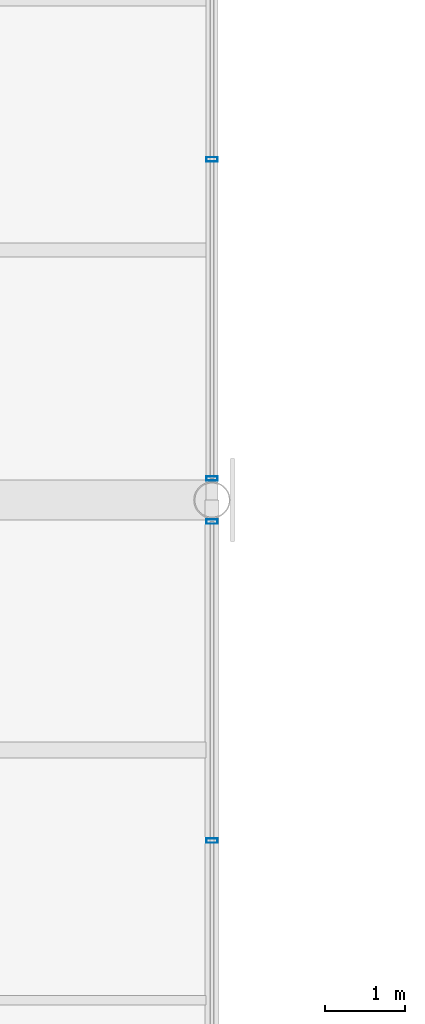
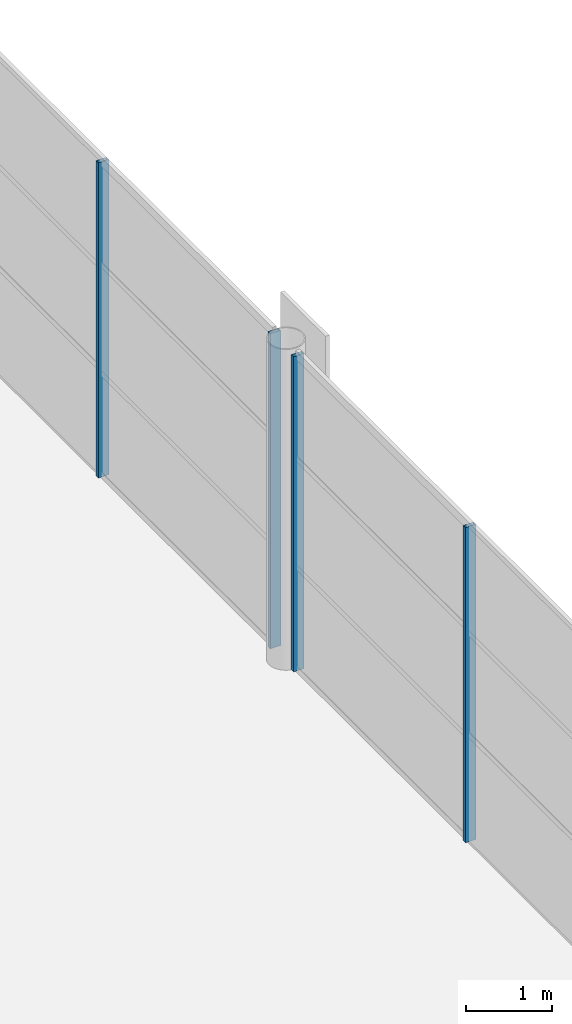
# One storey, part 47 of 112: 4 members, 2 elements without a shape of their own.
"""IFC4 building model written with IfcOpenShell, lengths in metres."""

import ifcopenshell
import ifcopenshell.guid

model = None  # the IFC model being written
_history = None  # IfcOwnerHistory: only IFC2X3 demands one
_inside = {}  # id of a spatial element -> (the spatial element, [elements in it])
_under = {}  # id of a project, library or spatial element -> (it, [spatial elements below it])
_declared = {}  # id of a project -> (the project, [libraries it declares])
_typed = {}  # id of a type object -> (the type object, [elements of that type])
_made_of = {}  # id of a material, layer set ... -> (it, [elements and type objects made of it])


def new_model(schema):
    """Start an empty IFC model of exactly this schema.

    Asked for "IFC4X3", IfcOpenShell would pick the latest addendum, in which some entities
    have other attributes; the version numbers below select the first issue.
    IFC2X3 requires an IfcOwnerHistory on every rooted entity: one is made here for all.
    """
    global model, _history
    if schema == "IFC4X3":
        model = ifcopenshell.file(schema_version=(4, 3, 0, 0))
    else:
        model = ifcopenshell.file(schema=schema)
    _inside.clear()
    _under.clear()
    _declared.clear()
    _typed.clear()
    _made_of.clear()
    _history = None
    if model.schema == "IFC2X3":
        org = make("IfcOrganization", Name="unknown")
        user = make(
            "IfcPersonAndOrganization",
            ThePerson=make("IfcPerson", FamilyName="unknown"),
            TheOrganization=org,
        )
        app = make(
            "IfcApplication",
            ApplicationDeveloper=org,
            Version="unknown",
            ApplicationFullName="unknown",
            ApplicationIdentifier="unknown",
        )
        _history = make(
            "IfcOwnerHistory",
            OwningUser=user,
            OwningApplication=app,
            ChangeAction="ADDED",
            CreationDate=0,
        )
    return model


def make(cls, **values):
    """One entity of the class cls with the attributes given. An attribute that is None is left unset."""
    return model.create_entity(
        cls, **{name: value for name, value in values.items() if value is not None}
    )


def rooted(cls, **values):
    """An entity with a GlobalId (a new one), such as an element, a storey or a relation."""
    return make(cls, GlobalId=ifcopenshell.guid.new(), OwnerHistory=_history, **values)


def si_unit(unit_type, name, prefix=None):
    """IfcSIUnit, for example si_unit("LENGTHUNIT", "METRE", prefix="MILLI")."""
    return make("IfcSIUnit", UnitType=unit_type, Prefix=prefix, Name=name)


def assignment(units):
    """IfcUnitAssignment: the units of a project."""
    return None if units is None else make("IfcUnitAssignment", Units=units)


def point(xyz):
    """IfcCartesianPoint."""
    return None if xyz is None else make("IfcCartesianPoint", Coordinates=xyz)


def direction(xyz):
    """IfcDirection."""
    return None if xyz is None else make("IfcDirection", DirectionRatios=xyz)


def frame(location, z_axis=None, x_axis=None):
    """IfcAxis2Placement3D, a coordinate frame: its origin and axes. An axis left out is left unset."""
    return make(
        "IfcAxis2Placement3D",
        Location=point(location),
        Axis=direction(z_axis),
        RefDirection=direction(x_axis),
    )


def frame_2d(location, x_axis=None):
    """IfcAxis2Placement2D, a coordinate frame in the plane: its origin and x axis."""
    return make(
        "IfcAxis2Placement2D", Location=point(location), RefDirection=direction(x_axis)
    )


def origin():
    """The frame at (0, 0, 0) with its axes left unset."""
    return frame((0.0, 0.0, 0.0))


def origin_2d():
    """The frame at (0, 0) in the plane with its x axis left unset."""
    return frame_2d((0.0, 0.0))


def place(relative_to, where):
    """IfcLocalPlacement: puts the frame where relative to a parent placement (None: the world)."""
    return make(
        "IfcLocalPlacement", PlacementRelTo=relative_to, RelativePlacement=where
    )


def context(
    kind, dimensions, precision=None, world=None, true_north=None, identifier=None
):
    """IfcGeometricRepresentationContext, for example the 3D "Model" context."""
    return make(
        "IfcGeometricRepresentationContext",
        ContextIdentifier=identifier,
        ContextType=kind,
        CoordinateSpaceDimension=dimensions,
        Precision=precision,
        WorldCoordinateSystem=world,
        TrueNorth=true_north,
    )


def subcontext(parent, identifier, kind, view, scale=None):
    """IfcGeometricRepresentationSubContext, for example "Body" below "Model"."""
    return make(
        "IfcGeometricRepresentationSubContext",
        ContextIdentifier=identifier,
        ContextType=kind,
        ParentContext=parent,
        TargetScale=scale,
        TargetView=view,
    )


def project(units=None, contexts=None):
    """IfcProject with its units and contexts."""
    return rooted(
        "IfcProject",
        Name="project",
        RepresentationContexts=contexts,
        UnitsInContext=assignment(units),
    )


def spatial(cls, under=None, at=None, **own):
    """A site, building, storey or space (cls), placed at a placement, below another one or the project."""
    s = rooted(cls, ObjectPlacement=at, **own)
    if under is not None:
        _under.setdefault(under.id(), (under, []))[1].append(s)
    return s


def profile(cls, at=None, kind="AREA", **sizes):
    """A parametric profile (cls). Its sizes go by their IFC names, for example OverallWidth=200.0."""
    return make(cls, ProfileType=kind, Position=at, **sizes)


def hollow_rectangle(**sizes):
    """IfcRectangleHollowProfileDef."""
    return profile("IfcRectangleHollowProfileDef", **sizes)


def extrude(swept, where, along, depth):
    """IfcExtrudedAreaSolid: the profile swept, set in the frame where, extruded along a direction by depth."""
    return make(
        "IfcExtrudedAreaSolid",
        SweptArea=swept,
        Position=where,
        ExtrudedDirection=direction(along),
        Depth=depth,
    )


def shape(context_of_items, identifier, shape_type, items):
    """IfcShapeRepresentation: the items that make up one representation, for example the "Body"."""
    return make(
        "IfcShapeRepresentation",
        ContextOfItems=context_of_items,
        RepresentationIdentifier=identifier,
        RepresentationType=shape_type,
        Items=items,
    )


def material(Name=None, Category=None):
    """IfcMaterial."""
    return make("IfcMaterial", Name=Name, Category=Category)


def material_profile(
    of_material, cross_section, Name=None, Category=None, Priority=None
):
    """IfcMaterialProfile: a cross section and its material."""
    return make(
        "IfcMaterialProfile",
        Name=Name,
        Material=of_material,
        Profile=cross_section,
        Priority=Priority,
        Category=Category,
    )


def profile_set(profiles, Name=None, composite=None):
    """IfcMaterialProfileSet."""
    return make(
        "IfcMaterialProfileSet",
        Name=Name,
        MaterialProfiles=profiles,
        CompositeProfile=composite,
    )


def made_of(thing, what):
    """Note that an element or type object is made of a material, layer set ...; save() writes the relation."""
    if what is not None:
        _made_of.setdefault(what.id(), (what, []))[1].append(thing)
    return thing


def type_object(cls, material=None, **own):
    """A type object (cls), such as IfcWallType, which elements share."""
    return made_of(rooted(cls, **own), material)


def element(
    cls,
    number,
    at=None,
    inside=None,
    cuts=None,
    type_object=None,
    material=None,
    context=None,
    identifier="Body",
    shape_type=None,
    held_by="IfcProductDefinitionShape",
    body=None,
    shapes=None,
    **own,
):
    """One element of the class cls, such as IfcWall. Its Tag is "e" and its number.

    at: its placement. inside: the storey or other place that contains it. cuts: it is an
    opening in that element (IfcRelVoidsElement). A single representation is given by context,
    identifier, shape_type and body (its items); several are given by shapes. held_by: the class
    of the entity that holds the representations. save() writes the other relations.
    """
    e = rooted(cls, Tag="e%d" % number, ObjectPlacement=at, **own)
    if body is not None:
        shapes = [shape(context, identifier, shape_type, body)]
    if shapes is not None:
        e.Representation = make(held_by, Representations=shapes)
    if inside is not None:
        _inside.setdefault(inside.id(), (inside, []))[1].append(e)
    if cuts is not None:
        rooted(
            "IfcRelVoidsElement", RelatingBuildingElement=cuts, RelatedOpeningElement=e
        )
    if type_object is not None:
        _typed.setdefault(type_object.id(), (type_object, []))[1].append(e)
    return made_of(e, material)


def aggregate(whole, parts):
    """IfcRelAggregates: a whole, such as a stair, and the parts it consists of."""
    return rooted("IfcRelAggregates", RelatingObject=whole, RelatedObjects=parts)


def save(model, path):
    """Write the relations noted so far, then the file.

    IfcRelAggregates (storeys below a building ...), IfcRelContainedInSpatialStructure (elements
    in a storey), IfcRelDefinesByType, IfcRelAssociatesMaterial and IfcRelDeclares: one each for
    every whole, place, type object, material and project.
    """
    for whole, parts in _under.values():
        aggregate(whole, parts)
    for where, things in _inside.values():
        rooted(
            "IfcRelContainedInSpatialStructure",
            RelatedElements=things,
            RelatingStructure=where,
        )
    for kind, things in _typed.values():
        rooted("IfcRelDefinesByType", RelatedObjects=things, RelatingType=kind)
    for what, things in _made_of.values():
        rooted("IfcRelAssociatesMaterial", RelatedObjects=things, RelatingMaterial=what)
    for by, libraries in _declared.values():
        rooted("IfcRelDeclares", RelatingContext=by, RelatedDefinitions=libraries)
    model.write(path)


model = new_model("IFC4")

# Units and contexts
model_context = context("Model", 3, precision=1e-05, world=origin(), true_north=direction((0.0, 1.0)))
body_context = subcontext(model_context, "Body", "Model", "MODEL_VIEW")
ifc_project = project(units=[si_unit("LENGTHUNIT", "METRE"), si_unit("AREAUNIT", "SQUARE_METRE"), si_unit("VOLUMEUNIT", "CUBIC_METRE"), si_unit("PLANEANGLEUNIT", "RADIAN"), si_unit("MASSUNIT", "GRAM", prefix="KILO")], contexts=[model_context])

# Site, building, storey
site_placement = place(None, origin())
site = spatial("IfcSite", under=ifc_project, at=site_placement, CompositionType="ELEMENT")
building_placement = place(site_placement, origin())
building = spatial("IfcBuilding", under=site, at=building_placement, Name="Solvikara Media Centre", CompositionType="ELEMENT")
storey_placement = place(building_placement, frame((0.0, 0.0, 5.39990234375)))
storey = spatial("IfcBuildingStorey", under=building, at=storey_placement, Name="L01", CompositionType="ELEMENT", Elevation=5.39990234375)

# Curtain wall, members
ifc_material = material(Name="Anodised aluminium EN AW-6063", Category="aluminium")
curtain_wall_type = type_object("IfcCurtainWallType", Name="CW-08", PredefinedType="NOTDEFINED", material=ifc_material)
curtain_wall_1_placement = place(storey_placement, origin())
curtain_wall_1 = element("IfcCurtainWall", 1, at=curtain_wall_1_placement, inside=storey, type_object=curtain_wall_type, Name="CW-L01-V3E-S2", PredefinedType="NOTDEFINED")
ifc_material_profile = material_profile(ifc_material, hollow_rectangle(XDim=0.054931640625, YDim=0.139892578125, WallThickness=0.0029296875, at=origin_2d()), Name="ALU-M 55x140x3")
ifc_profile_set = profile_set([ifc_material_profile], Name="Anodised aluminium EN AW-6063")
member_type = type_object("IfcMemberType", Name="MF-05", PredefinedType="MULLION", material=ifc_profile_set)
member_1_placement = place(storey_placement, frame((34.0, 97.243896484375, 0.02001953125), z_axis=(0.0, 0.0, 1.0), x_axis=(0.0, 1.0, 0.0)))
member_1 = element("IfcMember", 2, at=member_1_placement, type_object=member_type, Name="CW-L01-V3E-S2-M02", PredefinedType="MULLION", context=body_context, shape_type="SweptSolid", body=[
    extrude(hollow_rectangle(XDim=0.054931640625, YDim=0.139892578125, WallThickness=0.0029296875, at=origin_2d()), origin(), (0.0, 0.0, 1.0), 4.4599609375),
])
member_2_placement = place(storey_placement, frame((34.0, 101.23095703125, 0.02001953125), z_axis=(0.0, 0.0, 1.0), x_axis=(0.0, 1.0, 0.0)))
member_2 = element("IfcMember", 3, at=member_2_placement, type_object=member_type, Name="CW-L01-V3E-S2-M03", PredefinedType="MULLION", context=body_context, shape_type="SweptSolid", body=[
    extrude(hollow_rectangle(XDim=0.054931640625, YDim=0.139892578125, WallThickness=0.0029296875, at=origin_2d()), origin(), (0.0, 0.0, 1.0), 4.4599609375),
])
aggregate(curtain_wall_1, [member_1, member_2])

curtain_wall_2_placement = place(storey_placement, origin())
curtain_wall_2 = element("IfcCurtainWall", 4, at=curtain_wall_2_placement, inside=storey, type_object=curtain_wall_type, Name="CW-L01-V3E-S3", PredefinedType="NOTDEFINED")
member_3_placement = place(storey_placement, frame((34.0, 101.76904296875, 0.02001953125), z_axis=(0.0, 0.0, 1.0), x_axis=(0.0, 1.0, 0.0)))
member_3 = element("IfcMember", 5, at=member_3_placement, type_object=member_type, Name="CW-L01-V3E-S3-M00", PredefinedType="MULLION", context=body_context, shape_type="SweptSolid", body=[
    extrude(hollow_rectangle(XDim=0.054931640625, YDim=0.139892578125, WallThickness=0.0029296875, at=origin_2d()), origin(), (0.0, 0.0, 1.0), 4.4599609375),
])
member_4_placement = place(storey_placement, frame((34.0, 105.757080078125, 0.02001953125), z_axis=(0.0, 0.0, 1.0), x_axis=(0.0, 1.0, 0.0)))
member_4 = element("IfcMember", 6, at=member_4_placement, type_object=member_type, Name="CW-L01-V3E-S3-M01", PredefinedType="MULLION", context=body_context, shape_type="SweptSolid", body=[
    extrude(hollow_rectangle(XDim=0.054931640625, YDim=0.139892578125, WallThickness=0.0029296875, at=origin_2d()), origin(), (0.0, 0.0, 1.0), 4.4599609375),
])
aggregate(curtain_wall_2, [member_3, member_4])

save(model, "model.ifc")
